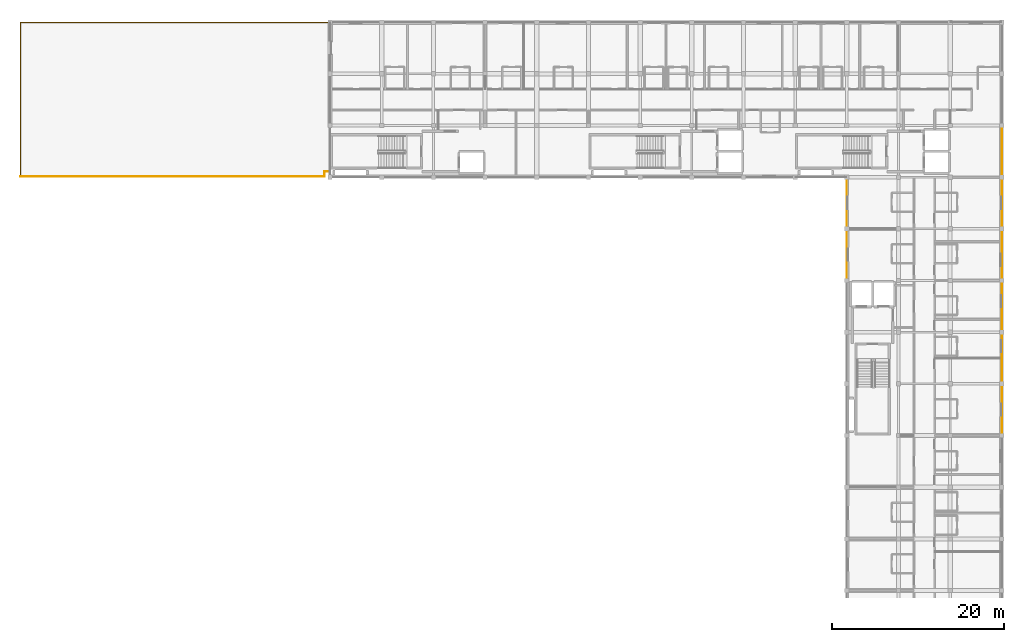
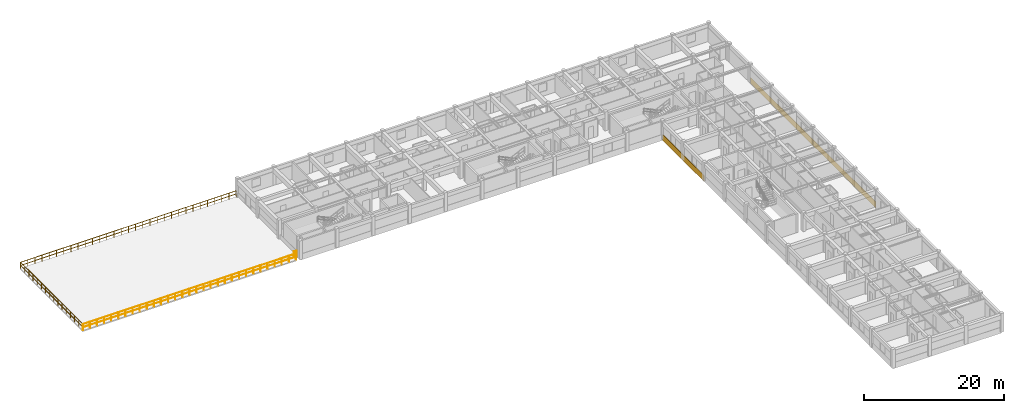
# One storey, part 13 of 15: 3 coverings, 2 railings.
"""IFC4 building model written with IfcOpenShell, lengths in metres."""

from ifc_helpers import new_model, si_unit, direction, frame, origin, origin_2d, place, context, subcontext, project, spatial, polyline, circle, outline, extrude, material, layer, layer_set, type_object, element, save


model = new_model("IFC4")

# Units and contexts
model_context = context("Model", 3, precision=1e-05, world=origin(), true_north=direction((0.0, 1.0)))
body_context = subcontext(model_context, "Body", "Model", "MODEL_VIEW")
ifc_project = project(units=[si_unit("LENGTHUNIT", "METRE"), si_unit("AREAUNIT", "SQUARE_METRE"), si_unit("VOLUMEUNIT", "CUBIC_METRE"), si_unit("PLANEANGLEUNIT", "RADIAN"), si_unit("MASSUNIT", "GRAM", prefix="KILO"), si_unit("THERMODYNAMICTEMPERATUREUNIT", "KELVIN"), si_unit("POWERUNIT", "WATT")], contexts=[model_context])

# Site, building, storey
site_placement = place(None, origin())
site = spatial("IfcSite", under=ifc_project, at=site_placement, CompositionType="ELEMENT")
building_placement = place(site_placement, origin())
building = spatial("IfcBuilding", under=site, at=building_placement, Name="Phaisarnlok Congress Hotel", CompositionType="ELEMENT")
storey_placement = place(building_placement, frame((0.0, 0.0, 38.10009765625)))
storey = spatial("IfcBuildingStorey", under=building, at=storey_placement, Name="L09", CompositionType="ELEMENT", Elevation=38.10009765625)

# Coverings
ifc_material_1 = material(Name="Anodised Silver Aluminium Alloy 6063-T6", Category="aluminium")
ifc_layer = layer(ifc_material_1, 0.031982421875, Name="Anodised Silver Aluminium Alloy 6063-T6")
ifc_layer_set = layer_set([ifc_layer], Name="Anodised Silver Aluminium Alloy 6063-T6")
covering_type = type_object("IfcCoveringType", Name="COV-SPAND-ALU", PredefinedType="CLADDING", material=ifc_layer_set)
for number, where, z_axis, x_axis, name in (
    (1, (179.9951171875, 78.06005859375, -0.280029296875), (1.0, 0.0, 0.0), (0.0, 1.0, 0.0), "Swiss minimalist anodised silver rainscreen band CL-02 (L09 E)"),
    (2, (179.9951171875, 96.06005859375, -0.280029296875), (1.0, 0.0, 0.0), (0.0, 1.0, 0.0), "Swiss minimalist anodised silver rainscreen band CL-02 (L09 E)"),
):
    element("IfcCovering", number, at=place(storey_placement, frame(where, z_axis=z_axis, x_axis=x_axis)), inside=storey, type_object=covering_type, Name=name, PredefinedType="CLADDING", context=body_context, shape_type="SweptSolid", body=[
        extrude(outline(polyline([(0.0, 0.0), (18.0, 0.0), (18.0, 1.050048828125), (0.0, 1.050048828125), (0.0, 0.0)])), origin(), (0.0, 0.0, 1.0), 0.031982421875),
    ])
covering_placement = place(storey_placement, frame((162.0048828125, 107.93994140625, -0.280029296875), z_axis=(-1.0, 0.0, 0.0), x_axis=(0.0, -1.0, 0.0)))
element("IfcCovering", 3, at=covering_placement, inside=storey, type_object=covering_type, Name="Swiss minimalist anodised silver rainscreen band CL-02 (L09 W)", PredefinedType="CLADDING", context=body_context, shape_type="SweptSolid", body=[
    extrude(outline(polyline([(0.0, 0.0), (11.8798828125, 0.0), (11.8798828125, 1.050048828125), (0.0, 1.050048828125), (0.0, 0.0)])), origin(), (0.0, 0.0, 1.0), 0.031982421875),
])

# Railings
ifc_material_2 = material(Name="Laminated Glass & Stainless Steel Grade 316", Category="steel")
railing_type = type_object("IfcRailingType", Name="RLG-TER-1100", PredefinedType="BALUSTRADE", material=ifc_material_2)
railing_1_placement = place(storey_placement, frame((66.06005859375, 108.06005859375, 0.0)))
element("IfcRailing", 4, at=railing_1_placement, inside=storey, type_object=railing_type, Name="Terrace balustrade guard GD-01 (L09 sky_terrace_w9)", PredefinedType="BALUSTRADE", context=body_context, shape_type="SweptSolid", body=[
    extrude(circle(Radius=0.02392578125, at=origin_2d()), frame((0.0, 0.0, 1.076171875), z_axis=(0.0, 1.0, 0.0), x_axis=(-1.0, 0.0, 0.0)), (0.0, 0.0, 1.0), 17.8798828125),
    extrude(circle(Radius=0.02392578125, at=origin_2d()), frame((0.0, 0.0, 0.52587890625), z_axis=(0.0, 1.0, 0.0), x_axis=(-1.0, 0.0, 0.0)), (0.0, 0.0, 1.0), 17.8798828125),
    extrude(circle(Radius=0.02392578125, at=origin_2d()), frame((0.0, 17.8798828125, 1.076171875), z_axis=(1.0, 0.0, 0.0), x_axis=(0.0, 1.0, 0.0)), (0.0, 0.0, 1.0), 35.699951171875),
    extrude(circle(Radius=0.02392578125, at=origin_2d()), frame((0.0, 17.8798828125, 0.52587890625), z_axis=(1.0, 0.0, 0.0), x_axis=(0.0, 1.0, 0.0)), (0.0, 0.0, 1.0), 35.699951171875),
    extrude(circle(Radius=0.02099609375, at=origin_2d()), origin(), (0.0, 0.0, 1.0), 1.052001953125),
    extrude(circle(Radius=0.02099609375, at=origin_2d()), frame((0.0, 1.19189453125, 0.0)), (0.0, 0.0, 1.0), 1.052001953125),
    extrude(circle(Radius=0.02099609375, at=origin_2d()), frame((0.0, 2.384033203125, 0.0)), (0.0, 0.0, 1.0), 1.052001953125),
    extrude(circle(Radius=0.02099609375, at=origin_2d()), frame((0.0, 3.575927734375, 0.0)), (0.0, 0.0, 1.0), 1.052001953125),
    extrude(circle(Radius=0.02099609375, at=origin_2d()), frame((0.0, 4.76806640625, 0.0)), (0.0, 0.0, 1.0), 1.052001953125),
    extrude(circle(Radius=0.02099609375, at=origin_2d()), frame((0.0, 5.9599609375, 0.0)), (0.0, 0.0, 1.0), 1.052001953125),
    extrude(circle(Radius=0.02099609375, at=origin_2d()), frame((0.0, 7.15185546875, 0.0)), (0.0, 0.0, 1.0), 1.052001953125),
    extrude(circle(Radius=0.02099609375, at=origin_2d()), frame((0.0, 8.343994140625, 0.0)), (0.0, 0.0, 1.0), 1.052001953125),
    extrude(circle(Radius=0.02099609375, at=origin_2d()), frame((0.0, 9.535888671875, 0.0)), (0.0, 0.0, 1.0), 1.052001953125),
    extrude(circle(Radius=0.02099609375, at=origin_2d()), frame((0.0, 10.72802734375, 0.0)), (0.0, 0.0, 1.0), 1.052001953125),
    extrude(circle(Radius=0.02099609375, at=origin_2d()), frame((0.0, 11.919921875, 0.0)), (0.0, 0.0, 1.0), 1.052001953125),
    extrude(circle(Radius=0.02099609375, at=origin_2d()), frame((0.0, 13.11181640625, 0.0)), (0.0, 0.0, 1.0), 1.052001953125),
    extrude(circle(Radius=0.02099609375, at=origin_2d()), frame((0.0, 14.303955078125, 0.0)), (0.0, 0.0, 1.0), 1.052001953125),
    extrude(circle(Radius=0.02099609375, at=origin_2d()), frame((0.0, 15.495849609375, 0.0)), (0.0, 0.0, 1.0), 1.052001953125),
    extrude(circle(Radius=0.02099609375, at=origin_2d()), frame((0.0, 16.68798828125, 0.0)), (0.0, 0.0, 1.0), 1.052001953125),
    extrude(circle(Radius=0.02099609375, at=origin_2d()), frame((0.0, 17.8798828125, 0.0)), (0.0, 0.0, 1.0), 1.052001953125),
    extrude(circle(Radius=0.02099609375, at=origin_2d()), frame((1.18994140625, 17.8798828125, 0.0)), (0.0, 0.0, 1.0), 1.052001953125),
    extrude(circle(Radius=0.02099609375, at=origin_2d()), frame((2.3798828125, 17.8798828125, 0.0)), (0.0, 0.0, 1.0), 1.052001953125),
    extrude(circle(Radius=0.02099609375, at=origin_2d()), frame((3.570068359375, 17.8798828125, 0.0)), (0.0, 0.0, 1.0), 1.052001953125),
    extrude(circle(Radius=0.02099609375, at=origin_2d()), frame((4.760009765625, 17.8798828125, 0.0)), (0.0, 0.0, 1.0), 1.052001953125),
    extrude(circle(Radius=0.02099609375, at=origin_2d()), frame((5.949951171875, 17.8798828125, 0.0)), (0.0, 0.0, 1.0), 1.052001953125),
    extrude(circle(Radius=0.02099609375, at=origin_2d()), frame((7.139892578125, 17.8798828125, 0.0)), (0.0, 0.0, 1.0), 1.052001953125),
    extrude(circle(Radius=0.02099609375, at=origin_2d()), frame((8.330078125, 17.8798828125, 0.0)), (0.0, 0.0, 1.0), 1.052001953125),
    extrude(circle(Radius=0.02099609375, at=origin_2d()), frame((9.52001953125, 17.8798828125, 0.0)), (0.0, 0.0, 1.0), 1.052001953125),
    extrude(circle(Radius=0.02099609375, at=origin_2d()), frame((10.7099609375, 17.8798828125, 0.0)), (0.0, 0.0, 1.0), 1.052001953125),
    extrude(circle(Radius=0.02099609375, at=origin_2d()), frame((11.89990234375, 17.8798828125, 0.0)), (0.0, 0.0, 1.0), 1.052001953125),
    extrude(circle(Radius=0.02099609375, at=origin_2d()), frame((13.090087890625, 17.8798828125, 0.0)), (0.0, 0.0, 1.0), 1.052001953125),
    extrude(circle(Radius=0.02099609375, at=origin_2d()), frame((14.280029296875, 17.8798828125, 0.0)), (0.0, 0.0, 1.0), 1.052001953125),
    extrude(circle(Radius=0.02099609375, at=origin_2d()), frame((15.469970703125, 17.8798828125, 0.0)), (0.0, 0.0, 1.0), 1.052001953125),
    extrude(circle(Radius=0.02099609375, at=origin_2d()), frame((16.659912109375, 17.8798828125, 0.0)), (0.0, 0.0, 1.0), 1.052001953125),
    extrude(circle(Radius=0.02099609375, at=origin_2d()), frame((17.85009765625, 17.8798828125, 0.0)), (0.0, 0.0, 1.0), 1.052001953125),
    extrude(circle(Radius=0.02099609375, at=origin_2d()), frame((19.0400390625, 17.8798828125, 0.0)), (0.0, 0.0, 1.0), 1.052001953125),
    extrude(circle(Radius=0.02099609375, at=origin_2d()), frame((20.22998046875, 17.8798828125, 0.0)), (0.0, 0.0, 1.0), 1.052001953125),
    extrude(circle(Radius=0.02099609375, at=origin_2d()), frame((21.419921875, 17.8798828125, 0.0)), (0.0, 0.0, 1.0), 1.052001953125),
    extrude(circle(Radius=0.02099609375, at=origin_2d()), frame((22.60986328125, 17.8798828125, 0.0)), (0.0, 0.0, 1.0), 1.052001953125),
    extrude(circle(Radius=0.02099609375, at=origin_2d()), frame((23.800048828125, 17.8798828125, 0.0)), (0.0, 0.0, 1.0), 1.052001953125),
    extrude(circle(Radius=0.02099609375, at=origin_2d()), frame((24.989990234375, 17.8798828125, 0.0)), (0.0, 0.0, 1.0), 1.052001953125),
    extrude(circle(Radius=0.02099609375, at=origin_2d()), frame((26.179931640625, 17.8798828125, 0.0)), (0.0, 0.0, 1.0), 1.052001953125),
    extrude(circle(Radius=0.02099609375, at=origin_2d()), frame((27.369873046875, 17.8798828125, 0.0)), (0.0, 0.0, 1.0), 1.052001953125),
    extrude(circle(Radius=0.02099609375, at=origin_2d()), frame((28.56005859375, 17.8798828125, 0.0)), (0.0, 0.0, 1.0), 1.052001953125),
    extrude(circle(Radius=0.02099609375, at=origin_2d()), frame((29.75, 17.8798828125, 0.0)), (0.0, 0.0, 1.0), 1.052001953125),
    extrude(circle(Radius=0.02099609375, at=origin_2d()), frame((30.93994140625, 17.8798828125, 0.0)), (0.0, 0.0, 1.0), 1.052001953125),
    extrude(circle(Radius=0.02099609375, at=origin_2d()), frame((32.1298828125, 17.8798828125, 0.0)), (0.0, 0.0, 1.0), 1.052001953125),
    extrude(circle(Radius=0.02099609375, at=origin_2d()), frame((33.320068359375, 17.8798828125, 0.0)), (0.0, 0.0, 1.0), 1.052001953125),
    extrude(circle(Radius=0.02099609375, at=origin_2d()), frame((34.510009765625, 17.8798828125, 0.0)), (0.0, 0.0, 1.0), 1.052001953125),
    extrude(circle(Radius=0.02099609375, at=origin_2d()), frame((35.699951171875, 17.8798828125, 0.0)), (0.0, 0.0, 1.0), 1.052001953125),
])
railing_2_placement = place(storey_placement, frame((101.760009765625, 108.659912109375, 0.0)))
element("IfcRailing", 5, at=railing_2_placement, inside=storey, type_object=railing_type, Name="Terrace balustrade guard GD-01 (L09 sky_terrace_w9)", PredefinedType="BALUSTRADE", context=body_context, shape_type="SweptSolid", body=[
    extrude(circle(Radius=0.02392578125, at=origin_2d()), frame((0.0, 0.0, 1.076171875), z_axis=(-1.0, 0.0, 0.0), x_axis=(0.0, -1.0, 0.0)), (0.0, 0.0, 1.0), 0.419921875),
    extrude(circle(Radius=0.02392578125, at=origin_2d()), frame((0.0, 0.0, 0.52587890625), z_axis=(-1.0, 0.0, 0.0), x_axis=(0.0, -1.0, 0.0)), (0.0, 0.0, 1.0), 0.419921875),
    extrude(circle(Radius=0.02392578125, at=origin_2d()), frame((-0.419921875, 0.0, 1.076171875), z_axis=(0.0, -1.0, 0.0), x_axis=(1.0, 0.0, 0.0)), (0.0, 0.0, 1.0), 0.599853515625),
    extrude(circle(Radius=0.02392578125, at=origin_2d()), frame((-0.419921875, 0.0, 0.52587890625), z_axis=(0.0, -1.0, 0.0), x_axis=(1.0, 0.0, 0.0)), (0.0, 0.0, 1.0), 0.599853515625),
    extrude(circle(Radius=0.02392578125, at=origin_2d()), frame((-0.419921875, -0.599853515625, 1.076171875), z_axis=(-1.0, 0.0, 0.0), x_axis=(0.0, -1.0, 0.0)), (0.0, 0.0, 1.0), 35.280029296875),
    extrude(circle(Radius=0.02392578125, at=origin_2d()), frame((-0.419921875, -0.599853515625, 0.52587890625), z_axis=(-1.0, 0.0, 0.0), x_axis=(0.0, -1.0, 0.0)), (0.0, 0.0, 1.0), 35.280029296875),
    extrude(circle(Radius=0.02099609375, at=origin_2d()), origin(), (0.0, 0.0, 1.0), 1.052001953125),
    extrude(circle(Radius=0.02099609375, at=origin_2d()), frame((-0.419921875, 0.0, 0.0)), (0.0, 0.0, 1.0), 1.052001953125),
    extrude(circle(Radius=0.02099609375, at=origin_2d()), frame((-0.419921875, -0.599853515625, 0.0)), (0.0, 0.0, 1.0), 1.052001953125),
    extrude(circle(Radius=0.02099609375, at=origin_2d()), frame((-1.595947265625, -0.599853515625, 0.0)), (0.0, 0.0, 1.0), 1.052001953125),
    extrude(circle(Radius=0.02099609375, at=origin_2d()), frame((-2.77197265625, -0.599853515625, 0.0)), (0.0, 0.0, 1.0), 1.052001953125),
    extrude(circle(Radius=0.02099609375, at=origin_2d()), frame((-3.947998046875, -0.599853515625, 0.0)), (0.0, 0.0, 1.0), 1.052001953125),
    extrude(circle(Radius=0.02099609375, at=origin_2d()), frame((-5.1240234375, -0.599853515625, 0.0)), (0.0, 0.0, 1.0), 1.052001953125),
    extrude(circle(Radius=0.02099609375, at=origin_2d()), frame((-6.2998046875, -0.599853515625, 0.0)), (0.0, 0.0, 1.0), 1.052001953125),
    extrude(circle(Radius=0.02099609375, at=origin_2d()), frame((-7.475830078125, -0.599853515625, 0.0)), (0.0, 0.0, 1.0), 1.052001953125),
    extrude(circle(Radius=0.02099609375, at=origin_2d()), frame((-8.65185546875, -0.599853515625, 0.0)), (0.0, 0.0, 1.0), 1.052001953125),
    extrude(circle(Radius=0.02099609375, at=origin_2d()), frame((-9.827880859375, -0.599853515625, 0.0)), (0.0, 0.0, 1.0), 1.052001953125),
    extrude(circle(Radius=0.02099609375, at=origin_2d()), frame((-11.00390625, -0.599853515625, 0.0)), (0.0, 0.0, 1.0), 1.052001953125),
    extrude(circle(Radius=0.02099609375, at=origin_2d()), frame((-12.179931640625, -0.599853515625, 0.0)), (0.0, 0.0, 1.0), 1.052001953125),
    extrude(circle(Radius=0.02099609375, at=origin_2d()), frame((-13.35595703125, -0.599853515625, 0.0)), (0.0, 0.0, 1.0), 1.052001953125),
    extrude(circle(Radius=0.02099609375, at=origin_2d()), frame((-14.531982421875, -0.599853515625, 0.0)), (0.0, 0.0, 1.0), 1.052001953125),
    extrude(circle(Radius=0.02099609375, at=origin_2d()), frame((-15.7080078125, -0.599853515625, 0.0)), (0.0, 0.0, 1.0), 1.052001953125),
    extrude(circle(Radius=0.02099609375, at=origin_2d()), frame((-16.884033203125, -0.599853515625, 0.0)), (0.0, 0.0, 1.0), 1.052001953125),
    extrude(circle(Radius=0.02099609375, at=origin_2d()), frame((-18.06005859375, -0.599853515625, 0.0)), (0.0, 0.0, 1.0), 1.052001953125),
    extrude(circle(Radius=0.02099609375, at=origin_2d()), frame((-19.23583984375, -0.599853515625, 0.0)), (0.0, 0.0, 1.0), 1.052001953125),
    extrude(circle(Radius=0.02099609375, at=origin_2d()), frame((-20.411865234375, -0.599853515625, 0.0)), (0.0, 0.0, 1.0), 1.052001953125),
    extrude(circle(Radius=0.02099609375, at=origin_2d()), frame((-21.587890625, -0.599853515625, 0.0)), (0.0, 0.0, 1.0), 1.052001953125),
    extrude(circle(Radius=0.02099609375, at=origin_2d()), frame((-22.763916015625, -0.599853515625, 0.0)), (0.0, 0.0, 1.0), 1.052001953125),
    extrude(circle(Radius=0.02099609375, at=origin_2d()), frame((-23.93994140625, -0.599853515625, 0.0)), (0.0, 0.0, 1.0), 1.052001953125),
    extrude(circle(Radius=0.02099609375, at=origin_2d()), frame((-25.115966796875, -0.599853515625, 0.0)), (0.0, 0.0, 1.0), 1.052001953125),
    extrude(circle(Radius=0.02099609375, at=origin_2d()), frame((-26.2919921875, -0.599853515625, 0.0)), (0.0, 0.0, 1.0), 1.052001953125),
    extrude(circle(Radius=0.02099609375, at=origin_2d()), frame((-27.468017578125, -0.599853515625, 0.0)), (0.0, 0.0, 1.0), 1.052001953125),
    extrude(circle(Radius=0.02099609375, at=origin_2d()), frame((-28.64404296875, -0.599853515625, 0.0)), (0.0, 0.0, 1.0), 1.052001953125),
    extrude(circle(Radius=0.02099609375, at=origin_2d()), frame((-29.81982421875, -0.599853515625, 0.0)), (0.0, 0.0, 1.0), 1.052001953125),
    extrude(circle(Radius=0.02099609375, at=origin_2d()), frame((-30.995849609375, -0.599853515625, 0.0)), (0.0, 0.0, 1.0), 1.052001953125),
    extrude(circle(Radius=0.02099609375, at=origin_2d()), frame((-32.171875, -0.599853515625, 0.0)), (0.0, 0.0, 1.0), 1.052001953125),
    extrude(circle(Radius=0.02099609375, at=origin_2d()), frame((-33.347900390625, -0.599853515625, 0.0)), (0.0, 0.0, 1.0), 1.052001953125),
    extrude(circle(Radius=0.02099609375, at=origin_2d()), frame((-34.52392578125, -0.599853515625, 0.0)), (0.0, 0.0, 1.0), 1.052001953125),
    extrude(circle(Radius=0.02099609375, at=origin_2d()), frame((-35.699951171875, -0.599853515625, 0.0)), (0.0, 0.0, 1.0), 1.052001953125),
])

save(model, "model.ifc")
